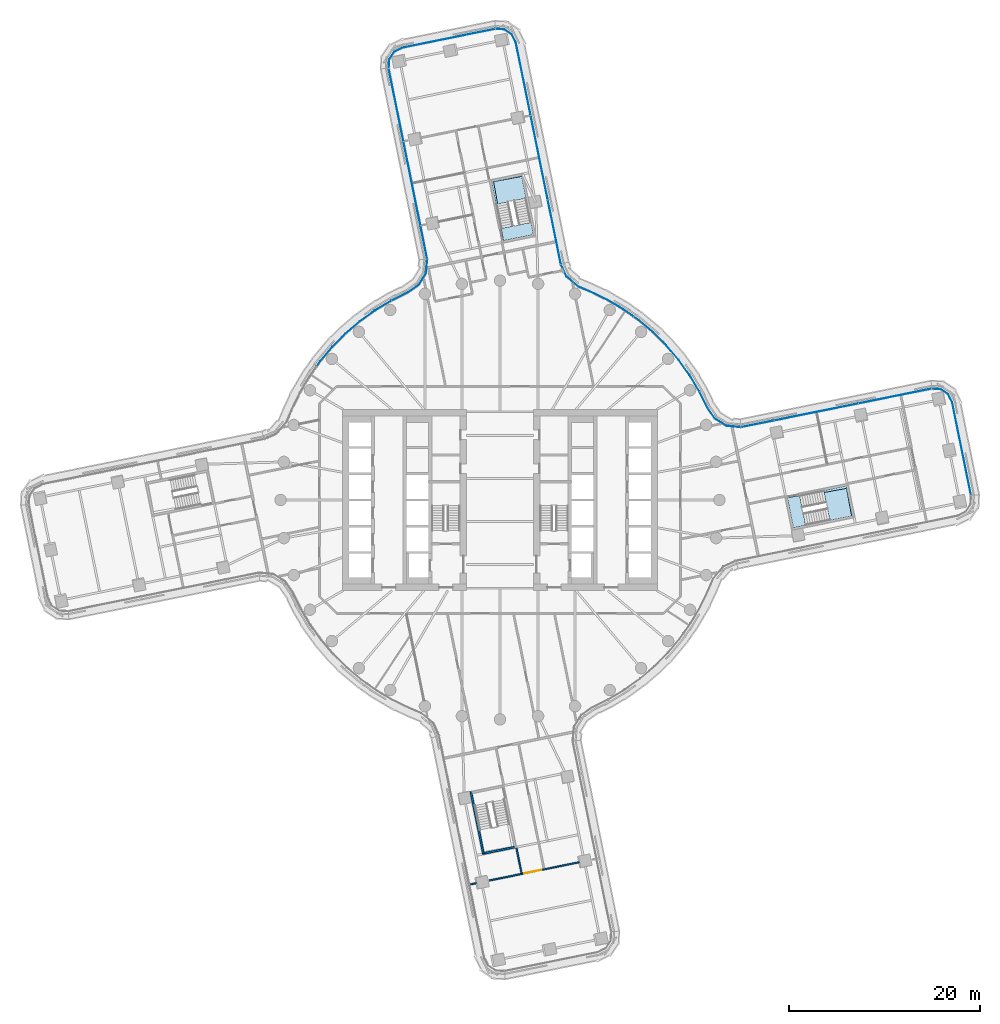
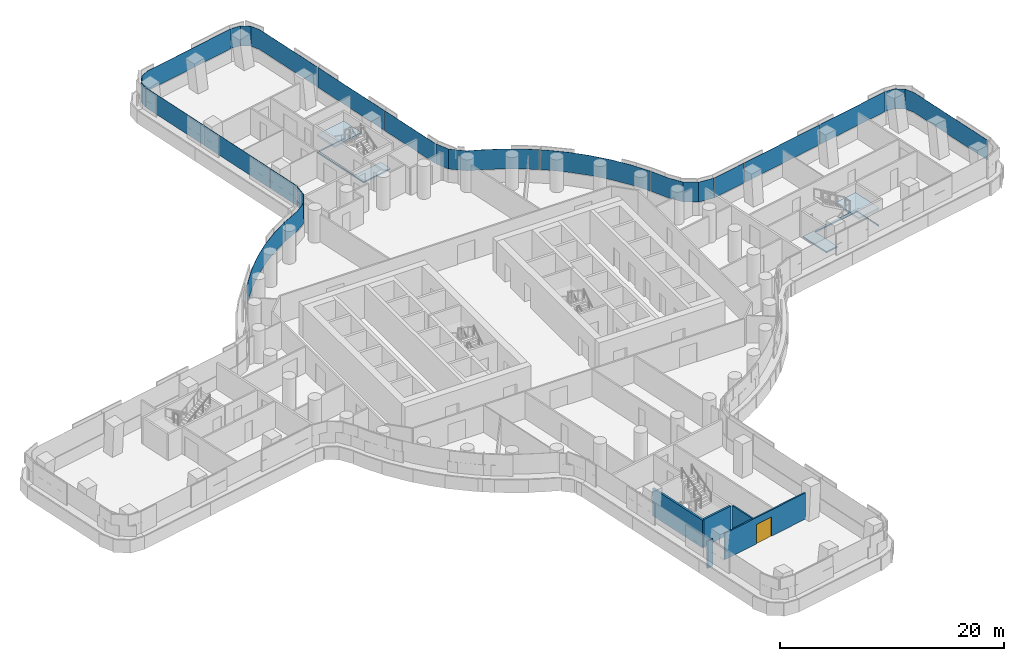
# One storey, part 17 of 31: 16 plates, 5 walls, 4 slabs, 1 door, 1 opening, 9 elements without a shape of their own.
"""IFC4 building model written with IfcOpenShell, lengths in metres."""

from ifc_helpers import new_model, si_unit, direction, frame, frame_2d, origin, place, context, subcontext, project, spatial, polyline, rectangle, outline, extrude, material, layer, layer_set, type_object, element, fill, aggregate, save


model = new_model("IFC4")

# Units and contexts
model_context = context("Model", 3, precision=1e-05, world=origin(), true_north=direction((0.0, 1.0)))
body_context = subcontext(model_context, "Body", "Model", "MODEL_VIEW")
ifc_project = project(units=[si_unit("LENGTHUNIT", "METRE"), si_unit("AREAUNIT", "SQUARE_METRE"), si_unit("VOLUMEUNIT", "CUBIC_METRE"), si_unit("PLANEANGLEUNIT", "RADIAN"), si_unit("MASSUNIT", "GRAM", prefix="KILO")], contexts=[model_context])

# Site, building, storey
site_placement = place(None, origin())
site = spatial("IfcSite", under=ifc_project, at=site_placement, CompositionType="ELEMENT")
building_placement = place(site_placement, origin())
building = spatial("IfcBuilding", under=site, at=building_placement, Name="Tamarind Cross Interchange Tower", CompositionType="ELEMENT")
storey_placement = place(building_placement, frame((0.0, 0.0, 75.25)))
storey = spatial("IfcBuildingStorey", under=building, at=storey_placement, Name="L17", CompositionType="ELEMENT", Elevation=75.25)

# Slabs
ifc_material_1 = material(Name="Concrete C35", Category="concrete")
ifc_layer_1 = layer(ifc_material_1, 0.139892578125)
ifc_layer_set_1 = layer_set([ifc_layer_1], Name="Concrete C35")
slab_type_1 = type_object("IfcSlabType", Name="Composite slab 140 Concrete C35", PredefinedType="FLOOR", material=ifc_layer_set_1)
slab_1_placement = place(storey_placement, frame((0.0, 0.0, -0.139892578125)))
element("IfcSlab", 1, at=slab_1_placement, inside=storey, type_object=slab_type_1, Name="Floor slab L17", PredefinedType="FLOOR", context=body_context, shape_type="SweptSolid", body=[
    extrude(outline(polyline([(-0.67236328125, 33.366455078125), (2.272705078125, 33.90966796875), (2.25634765625, 33.989990234375), (-0.87939453125, 33.352294921875), (0.375732421875, 27.1787109375), (3.511474609375, 27.81640625), (3.25, 29.10205078125), (0.227294921875, 28.4873046875), (-0.67236328125, 33.366455078125)])), origin(), (0.0, 0.0, 1.0), 0.139892578125),
])
slab_2_placement = place(storey_placement, frame((0.0, 0.0, -0.139892578125)))
element("IfcSlab", 2, at=slab_2_placement, inside=storey, type_object=slab_type_1, Name="Floor slab L17", PredefinedType="FLOOR", context=body_context, shape_type="SweptSolid", body=[
    extrude(outline(polyline([(36.9296875, -1.65869140625), (36.292236328125, 1.477294921875), (30.118408203125, 0.221923828125), (30.756103515625, -2.913818359375), (31.961181640625, -2.668701171875), (32.041748046875, -2.65234375), (31.43798828125, 0.31689453125), (36.31689453125, 1.21630859375), (36.849853515625, -1.6748046875), (36.9296875, -1.65869140625)])), origin(), (0.0, 0.0, 1.0), 0.139892578125),
])

# Stair, slab
ifc_material_2 = material(Name="Exit stair")
stair_type = type_object("IfcStairType", Name="Exit stair", PredefinedType="HALF_TURN_STAIR", material=ifc_material_2)
stair_1_placement = place(storey_placement, origin())
stair_1 = element("IfcStair", 3, at=stair_1_placement, inside=storey, type_object=stair_type, Name="L17 exit stair ST3", PredefinedType="HALF_TURN_STAIR")
ifc_material_3 = material(Name="Concrete C40", Category="concrete")
ifc_layer_2 = layer(ifc_material_3, 0.199951171875)
ifc_layer_set_2 = layer_set([ifc_layer_2], Name="Concrete C40")
slab_type_2 = type_object("IfcSlabType", Name="Stair landing", PredefinedType="LANDING", material=ifc_layer_set_2)
slab_3_placement = place(storey_placement, frame((0.0, 0.0, 1.675048828125)))
slab_3 = element("IfcSlab", 4, at=slab_3_placement, type_object=slab_type_2, Name="ST3 landing 1", PredefinedType="LANDING", context=body_context, shape_type="SweptSolid", body=[
    extrude(outline(polyline([(34.566162109375, -2.13916015625), (36.9296875, -1.658447265625), (36.292236328125, 1.477294921875), (33.928466796875, 0.99658203125), (34.566162109375, -2.13916015625)])), origin(), (0.0, 0.0, 1.0), 0.199951171875),
])
aggregate(stair_1, [slab_3])

stair_2_placement = place(storey_placement, origin())
stair_2 = element("IfcStair", 5, at=stair_2_placement, inside=storey, type_object=stair_type, Name="L17 exit stair ST4", PredefinedType="HALF_TURN_STAIR")
slab_4_placement = place(storey_placement, frame((0.0, 0.0, 1.675048828125)))
slab_4 = element("IfcSlab", 6, at=slab_4_placement, type_object=slab_type_2, Name="ST4 landing 1", PredefinedType="LANDING", context=body_context, shape_type="SweptSolid", body=[
    extrude(outline(polyline([(2.73681640625, 31.626220703125), (2.25634765625, 33.989990234375), (-0.879638671875, 33.352294921875), (-0.39892578125, 30.98876953125), (2.73681640625, 31.626220703125)])), origin(), (0.0, 0.0, 1.0), 0.199951171875),
])
aggregate(stair_2, [slab_4])

# Curtain wall, plate
ifc_material_4 = material(Name="Aluminium 6063-T6", Category="aluminium")
ifc_layer_3 = layer(ifc_material_4, 0.159912109375)
ifc_layer_set_3 = layer_set([ifc_layer_3], Name="Aluminium 6063-T6")
curtain_wall_type = type_object("IfcCurtainWallType", Name="Office curtain wall, 9.0 m bays", PredefinedType="NOTDEFINED", material=ifc_layer_set_3)
curtain_wall_1_placement = place(storey_placement, origin())
curtain_wall_1 = element("IfcCurtainWall", 7, at=curtain_wall_1_placement, inside=storey, type_object=curtain_wall_type, Name="CWS-L17-08", PredefinedType="NOTDEFINED")
ifc_material_5 = material(Name="Laminated low-e glass 8+1.52+8", Category="glass")
ifc_layer_4 = layer(ifc_material_5, 0.028076171875)
ifc_layer_set_4 = layer_set([ifc_layer_4], Name="Laminated low-e glass 8+1.52+8")
plate_type = type_object("IfcPlateType", Name="Vision panel CW1", PredefinedType="CURTAIN_PANEL", material=ifc_layer_set_4)
plate_1_placement = place(storey_placement, frame((0.0, 0.0, 1.39990234375)))
plate_1 = element("IfcPlate", 8, at=plate_1_placement, type_object=plate_type, Name="CWP-L17-08-00", PredefinedType="CURTAIN_PANEL", context=body_context, shape_type="SweptSolid", body=[
    extrude(outline(polyline([(49.359375, 0.517822265625), (47.3837890625, 10.234619140625), (46.960205078125, 11.084716796875), (46.192626953125, 11.5927734375), (45.2724609375, 11.649169921875), (45.274169921875, 11.67724609375), (46.20166015625, 11.620361328125), (46.98193359375, 11.103759765625), (47.410400390625, 10.243896484375), (49.386962890625, 0.5234375), (49.359375, 0.517822265625)])), origin(), (0.0, 0.0, 1.0), 2.170166015625),
])
aggregate(curtain_wall_1, [plate_1])

# Curtain wall, plates
curtain_wall_2_placement = place(storey_placement, origin())
curtain_wall_2 = element("IfcCurtainWall", 9, at=curtain_wall_2_placement, inside=storey, type_object=curtain_wall_type, Name="CWS-L17-09", PredefinedType="NOTDEFINED")
plate_2_placement = place(storey_placement, frame((0.0, 0.0, 1.39990234375)))
plate_2 = element("IfcPlate", 10, at=plate_2_placement, type_object=plate_type, Name="CWP-L17-09-00", PredefinedType="CURTAIN_PANEL", context=body_context, shape_type="SweptSolid", body=[
    extrude(outline(polyline([(45.216796875, 11.6455078125), (37.601318359375, 10.10693359375), (37.595703125, 10.13427734375), (45.211181640625, 11.6728515625), (45.216796875, 11.6455078125)])), origin(), (0.0, 0.0, 1.0), 2.170166015625),
])
plate_3_placement = place(storey_placement, frame((0.0, 0.0, 1.39990234375)))
plate_3 = element("IfcPlate", 11, at=plate_3_placement, type_object=plate_type, Name="CWP-L17-09-01", PredefinedType="CURTAIN_PANEL", context=body_context, shape_type="SweptSolid", body=[
    extrude(outline(polyline([(37.54248046875, 10.094970703125), (28.778076171875, 8.324462890625), (28.7724609375, 8.351806640625), (37.536865234375, 10.122314453125), (37.54248046875, 10.094970703125)])), origin(), (0.0, 0.0, 1.0), 2.170166015625),
])
plate_4_placement = place(storey_placement, frame((0.0, 0.0, 1.39990234375)))
plate_4 = element("IfcPlate", 12, at=plate_4_placement, type_object=plate_type, Name="CWP-L17-09-02", PredefinedType="CURTAIN_PANEL", context=body_context, shape_type="SweptSolid", body=[
    extrude(outline(polyline([(28.71923828125, 8.3125), (25.28564453125, 7.618896484375), (25.280029296875, 7.646240234375), (28.713623046875, 8.33984375), (28.71923828125, 8.3125)])), origin(), (0.0, 0.0, 1.0), 2.170166015625),
])
aggregate(curtain_wall_2, [plate_2, plate_3, plate_4])

curtain_wall_3_placement = place(storey_placement, origin())
curtain_wall_3 = element("IfcCurtainWall", 13, at=curtain_wall_3_placement, inside=storey, type_object=curtain_wall_type, Name="CWS-L17-10", PredefinedType="NOTDEFINED")
plate_5_placement = place(storey_placement, frame((0.0, 0.0, 1.39990234375)))
plate_5 = element("IfcPlate", 14, at=plate_5_placement, type_object=plate_type, Name="CWP-L17-10-00", PredefinedType="CURTAIN_PANEL", context=body_context, shape_type="SweptSolid", body=[
    extrude(outline(polyline([(25.22216796875, 7.615478515625), (23.73828125, 7.756591796875), (22.52880859375, 8.503662109375), (21.748291015625, 9.624267578125), (20.90869140625, 11.323486328125), (20.933837890625, 11.3359375), (21.7724609375, 9.638671875), (22.548583984375, 8.5244140625), (23.74755859375, 7.783935546875), (25.224853515625, 7.643310546875), (25.22216796875, 7.615478515625)])), origin(), (0.0, 0.0, 1.0), 2.170166015625),
])
plate_6_placement = place(storey_placement, frame((0.0, 0.0, 1.39990234375)))
plate_6 = element("IfcPlate", 15, at=plate_6_placement, type_object=plate_type, Name="CWP-L17-10-01", PredefinedType="CURTAIN_PANEL", context=body_context, shape_type="SweptSolid", body=[
    extrude(outline(polyline([(20.882080078125, 11.377197265625), (20.866455078125, 11.40869140625), (19.85302734375, 13.093017578125), (18.7041015625, 14.687744140625), (17.42724609375, 16.18212890625), (16.031494140625, 17.56591796875), (14.526123046875, 18.829833984375), (14.0234375, 19.185546875), (14.03955078125, 19.20849609375), (14.543212890625, 18.85205078125), (16.05029296875, 17.586669921875), (17.44775390625, 16.201171875), (18.72607421875, 14.705078125), (19.87646484375, 13.1083984375), (20.89111328125, 11.422119140625), (20.9072265625, 11.3896484375), (20.882080078125, 11.377197265625)])), origin(), (0.0, 0.0, 1.0), 2.170166015625),
])
plate_7_placement = place(storey_placement, frame((0.0, 0.0, 1.39990234375)))
plate_7 = element("IfcPlate", 16, at=plate_7_placement, type_object=plate_type, Name="CWP-L17-10-02", PredefinedType="CURTAIN_PANEL", context=body_context, shape_type="SweptSolid", body=[
    extrude(outline(polyline([(13.974365234375, 19.22021484375), (12.921630859375, 19.965087890625), (11.228759765625, 20.9638671875), (9.45654296875, 21.821044921875), (8.2421875, 22.32861328125), (6.9677734375, 23.396728515625), (6.39013671875, 24.6650390625), (6.415771484375, 24.676513671875), (6.99072265625, 23.4140625), (8.2568359375, 22.352783203125), (9.468017578125, 21.846435546875), (11.241943359375, 20.98876953125), (12.936767578125, 19.988525390625), (13.990478515625, 19.2431640625), (13.974365234375, 19.22021484375)])), origin(), (0.0, 0.0, 1.0), 2.170166015625),
])
aggregate(curtain_wall_3, [plate_5, plate_6, plate_7])

curtain_wall_4_placement = place(storey_placement, origin())
curtain_wall_4 = element("IfcCurtainWall", 17, at=curtain_wall_4_placement, inside=storey, type_object=curtain_wall_type, Name="CWS-L17-11", PredefinedType="NOTDEFINED")
plate_8_placement = place(storey_placement, frame((0.0, 0.0, 1.39990234375)))
plate_8 = element("IfcPlate", 18, at=plate_8_placement, type_object=plate_type, Name="CWP-L17-11-00", PredefinedType="CURTAIN_PANEL", context=body_context, shape_type="SweptSolid", body=[
    extrude(outline(polyline([(6.370849609375, 24.724609375), (5.0068359375, 31.432861328125), (5.034423828125, 31.4384765625), (6.398193359375, 24.730224609375), (6.370849609375, 24.724609375)])), origin(), (0.0, 0.0, 1.0), 2.170166015625),
])
plate_9_placement = place(storey_placement, frame((0.0, 0.0, 1.39990234375)))
plate_9 = element("IfcPlate", 19, at=plate_9_placement, type_object=plate_type, Name="CWP-L17-11-01", PredefinedType="CURTAIN_PANEL", context=body_context, shape_type="SweptSolid", body=[
    extrude(outline(polyline([(4.994873046875, 31.49169921875), (3.214111328125, 40.2509765625), (3.241455078125, 40.256591796875), (5.0224609375, 31.497314453125), (4.994873046875, 31.49169921875)])), origin(), (0.0, 0.0, 1.0), 2.170166015625),
])
plate_10_placement = place(storey_placement, frame((0.0, 0.0, 1.39990234375)))
plate_10 = element("IfcPlate", 20, at=plate_10_placement, type_object=plate_type, Name="CWP-L17-11-02", PredefinedType="CURTAIN_PANEL", context=body_context, shape_type="SweptSolid", body=[
    extrude(outline(polyline([(3.2021484375, 40.309814453125), (1.64892578125, 47.94873046875), (1.225341796875, 48.798828125), (0.45751953125, 49.306884765625), (-0.462158203125, 49.36328125), (-0.46044921875, 49.391357421875), (0.466796875, 49.33447265625), (1.2470703125, 48.81787109375), (1.675537109375, 47.957763671875), (3.2294921875, 40.3154296875), (3.2021484375, 40.309814453125)])), origin(), (0.0, 0.0, 1.0), 2.170166015625),
])
aggregate(curtain_wall_4, [plate_8, plate_9, plate_10])

# Curtain wall, plate
curtain_wall_5_placement = place(storey_placement, origin())
curtain_wall_5 = element("IfcCurtainWall", 21, at=curtain_wall_5_placement, inside=storey, type_object=curtain_wall_type, Name="CWS-L17-12", PredefinedType="NOTDEFINED")
plate_11_placement = place(storey_placement, frame((0.0, 0.0, 1.39990234375)))
plate_11 = element("IfcPlate", 22, at=plate_11_placement, type_object=plate_type, Name="CWP-L17-12-00", PredefinedType="CURTAIN_PANEL", context=body_context, shape_type="SweptSolid", body=[
    extrude(outline(polyline([(-0.517822265625, 49.359375), (-10.234619140625, 47.3837890625), (-11.084716796875, 46.960205078125), (-11.5927734375, 46.192626953125), (-11.649169921875, 45.2724609375), (-11.67724609375, 45.274169921875), (-11.620361328125, 46.20166015625), (-11.103759765625, 46.98193359375), (-10.243896484375, 47.410400390625), (-0.5234375, 49.386962890625), (-0.517822265625, 49.359375)])), origin(), (0.0, 0.0, 1.0), 2.170166015625),
])
aggregate(curtain_wall_5, [plate_11])

# Curtain wall, plates
curtain_wall_6_placement = place(storey_placement, origin())
curtain_wall_6 = element("IfcCurtainWall", 23, at=curtain_wall_6_placement, inside=storey, type_object=curtain_wall_type, Name="CWS-L17-13", PredefinedType="NOTDEFINED")
plate_12_placement = place(storey_placement, frame((0.0, 0.0, 1.39990234375)))
plate_12 = element("IfcPlate", 24, at=plate_12_placement, type_object=plate_type, Name="CWP-L17-13-00", PredefinedType="CURTAIN_PANEL", context=body_context, shape_type="SweptSolid", body=[
    extrude(outline(polyline([(-11.6455078125, 45.216796875), (-10.10693359375, 37.601318359375), (-10.13427734375, 37.595703125), (-11.6728515625, 45.211181640625), (-11.6455078125, 45.216796875)])), origin(), (0.0, 0.0, 1.0), 2.170166015625),
])
plate_13_placement = place(storey_placement, frame((0.0, 0.0, 1.39990234375)))
plate_13 = element("IfcPlate", 25, at=plate_13_placement, type_object=plate_type, Name="CWP-L17-13-01", PredefinedType="CURTAIN_PANEL", context=body_context, shape_type="SweptSolid", body=[
    extrude(outline(polyline([(-10.094970703125, 37.54248046875), (-8.324462890625, 28.778076171875), (-8.351806640625, 28.7724609375), (-10.122314453125, 37.536865234375), (-10.094970703125, 37.54248046875)])), origin(), (0.0, 0.0, 1.0), 2.170166015625),
])
plate_14_placement = place(storey_placement, frame((0.0, 0.0, 1.39990234375)))
plate_14 = element("IfcPlate", 26, at=plate_14_placement, type_object=plate_type, Name="CWP-L17-13-02", PredefinedType="CURTAIN_PANEL", context=body_context, shape_type="SweptSolid", body=[
    extrude(outline(polyline([(-8.3125, 28.71923828125), (-7.618896484375, 25.28564453125), (-7.646240234375, 25.280029296875), (-8.33984375, 28.713623046875), (-8.3125, 28.71923828125)])), origin(), (0.0, 0.0, 1.0), 2.170166015625),
])
aggregate(curtain_wall_6, [plate_12, plate_13, plate_14])

curtain_wall_7_placement = place(storey_placement, origin())
curtain_wall_7 = element("IfcCurtainWall", 27, at=curtain_wall_7_placement, inside=storey, type_object=curtain_wall_type, Name="CWS-L17-14", PredefinedType="NOTDEFINED")
plate_15_placement = place(storey_placement, frame((0.0, 0.0, 1.39990234375)))
plate_15 = element("IfcPlate", 28, at=plate_15_placement, type_object=plate_type, Name="CWP-L17-14-00", PredefinedType="CURTAIN_PANEL", context=body_context, shape_type="SweptSolid", body=[
    extrude(outline(polyline([(-7.615478515625, 25.22216796875), (-7.756591796875, 23.73828125), (-8.503662109375, 22.52880859375), (-9.624267578125, 21.748291015625), (-11.323486328125, 20.90869140625), (-11.3359375, 20.933837890625), (-9.638671875, 21.7724609375), (-8.5244140625, 22.548583984375), (-7.783935546875, 23.74755859375), (-7.643310546875, 25.224853515625), (-7.615478515625, 25.22216796875)])), origin(), (0.0, 0.0, 1.0), 2.170166015625),
])
plate_16_placement = place(storey_placement, frame((0.0, 0.0, 1.39990234375)))
plate_16 = element("IfcPlate", 29, at=plate_16_placement, type_object=plate_type, Name="CWP-L17-14-01", PredefinedType="CURTAIN_PANEL", context=body_context, shape_type="SweptSolid", body=[
    extrude(outline(polyline([(-11.377197265625, 20.882080078125), (-11.40869140625, 20.866455078125), (-13.093017578125, 19.85302734375), (-14.687744140625, 18.7041015625), (-16.18212890625, 17.42724609375), (-17.56591796875, 16.031494140625), (-18.829833984375, 14.526123046875), (-19.185546875, 14.0234375), (-19.20849609375, 14.03955078125), (-18.85205078125, 14.543212890625), (-17.586669921875, 16.05029296875), (-16.201171875, 17.44775390625), (-14.705078125, 18.72607421875), (-13.1083984375, 19.87646484375), (-11.422119140625, 20.89111328125), (-11.3896484375, 20.9072265625), (-11.377197265625, 20.882080078125)])), origin(), (0.0, 0.0, 1.0), 2.170166015625),
])
aggregate(curtain_wall_7, [plate_15, plate_16])

# Walls
ifc_material_6 = material(Name="Gypsum board partition on steel studs", Category="steel")
ifc_layer_5 = layer(ifc_material_6, 0.14990234375)
ifc_layer_set_5 = layer_set([ifc_layer_5], Name="Gypsum board partition on steel studs")
wall_type_1 = type_object("IfcWallType", Name="Partition 150 mm EI 120", PredefinedType="PARTITIONING", material=ifc_layer_set_5)
wall_1_placement = place(storey_placement, frame((1.72119140625, -36.4873046875, 0.0), z_axis=(0.0, 0.0, 1.0), x_axis=(0.199315071398, -0.979935458239, 0.0)))
element("IfcWall", 30, at=wall_1_placement, inside=storey, type_object=wall_type_1, Name="Partition L17-015", PredefinedType="PARTITIONING", context=body_context, shape_type="SweptSolid", body=[
    extrude(rectangle(XDim=2.68505859375, YDim=0.14990234375, at=frame_2d((1.342529296875, 0.0))), origin(), (0.0, 0.0, 1.0), 2.8701171875),
])
wall_2_placement = place(storey_placement, frame((-3.117919921875, -40.287841796875, 0.0), z_axis=(0.0, 0.0, 1.0), x_axis=(0.979937909442, 0.199303019644, 0.0)))
element("IfcWall", 31, at=wall_2_placement, inside=storey, type_object=wall_type_1, Name="Partition L17-050", PredefinedType="PARTITIONING", context=body_context, shape_type="SweptSolid", body=[
    extrude(rectangle(XDim=0.64794921875, YDim=0.14990234375, at=frame_2d((0.323974609375, 0.0))), origin(), (0.0, 0.0, 1.0), 2.969970703125),
])

# Wall, opening, door
wall_3_placement = place(storey_placement, frame((-1.098388671875, -39.877197265625, 0.0), z_axis=(0.0, 0.0, 1.0), x_axis=(0.979946181894, 0.199262341126, 0.0)))
wall_3 = element("IfcWall", 32, at=wall_3_placement, inside=storey, type_object=wall_type_1, Name="Partition L17-051", PredefinedType="PARTITIONING", context=body_context, shape_type="SweptSolid", body=[
    extrude(rectangle(XDim=9.59228515625, YDim=0.14990234375, at=frame_2d((4.796142578125, 0.0))), origin(), (0.0, 0.0, 1.0), 2.8701171875),
])
opening_placement = place(wall_3_placement, frame((3.73828125, 0.0, 0.0)))
opening = element("IfcOpeningElement", 33, at=opening_placement, cuts=wall_3, Name="Opening D29", PredefinedType="OPENING", context=body_context, shape_type="SweptSolid", body=[
    extrude(rectangle(XDim=1.800048828125, YDim=2.10009765625, at=frame_2d((0.89990234375, 1.050048828125))), frame((0.0, 0.0849609375, 0.0), z_axis=(0.0, -1.0, 0.0), x_axis=(1.0, 0.0, 0.0)), (0.0, 0.0, 1.0), 0.169921875),
])
ifc_material_7 = material(Name="Fire-resisting door set")
door_type = type_object("IfcDoorType", Name="Interior door 1800 x 2100 FD60S", OperationType="DOUBLE_DOOR_SINGLE_SWING", PredefinedType="DOOR", material=ifc_material_7)
door_placement = place(opening_placement, origin())
door = element("IfcDoor", 34, at=door_placement, inside=storey, type_object=door_type, Name="Door D29", OperationType="DOUBLE_DOOR_SINGLE_SWING", OverallHeight=2.10009765625, OverallWidth=1.800048828125, PredefinedType="DOOR", context=body_context, shape_type="SweptSolid", body=[
    extrude(rectangle(XDim=1.800048828125, YDim=2.10009765625, at=frame_2d((0.89990234375, 1.050048828125))), frame((0.0, 0.02490234375, 0.0), z_axis=(0.0, -1.0, 0.0), x_axis=(1.0, 0.0, 0.0)), (0.0, 0.0, 1.0), 0.050048828125),
])
fill(opening, door)

# Walls
ifc_layer_6 = layer(ifc_material_3, 0.199951171875)
ifc_layer_set_6 = layer_set([ifc_layer_6], Name="Concrete C40")
wall_type_2 = type_object("IfcWallType", Name="Stair shaft wall 200 mm Concrete C40", PredefinedType="SHEAR", material=ifc_layer_set_6)
wall_4_placement = place(storey_placement, frame((-3.0517578125, -30.580078125, -0.139892578125), z_axis=(0.0, 0.0, 1.0), x_axis=(0.199247471639, -0.979949205339, 0.0)))
element("IfcWall", 35, at=wall_4_placement, inside=storey, type_object=wall_type_2, Name="Core wall CWL-L17-ST6-C", PredefinedType="SHEAR", context=body_context, shape_type="SweptSolid", body=[
    extrude(rectangle(XDim=6.699951171875, YDim=0.199951171875, at=frame_2d((3.35009765625, 0.0))), origin(), (0.0, 0.0, 1.0), 3.010009765625),
])
wall_5_placement = place(storey_placement, frame((0.0, 0.0, -0.139892578125)))
element("IfcWall", 36, at=wall_5_placement, inside=storey, type_object=wall_type_2, Name="Core wall CWL-L17-ST6-CF", PredefinedType="SHEAR", context=body_context, shape_type="SweptSolid", body=[
    extrude(outline(polyline([(-1.65869140625, -36.9296875), (-1.61865234375, -37.125732421875), (1.51708984375, -36.48828125), (1.477294921875, -36.292236328125), (-1.65869140625, -36.9296875)])), origin(), (0.0, 0.0, 1.0), 3.010009765625),
])

save(model, "model.ifc")
